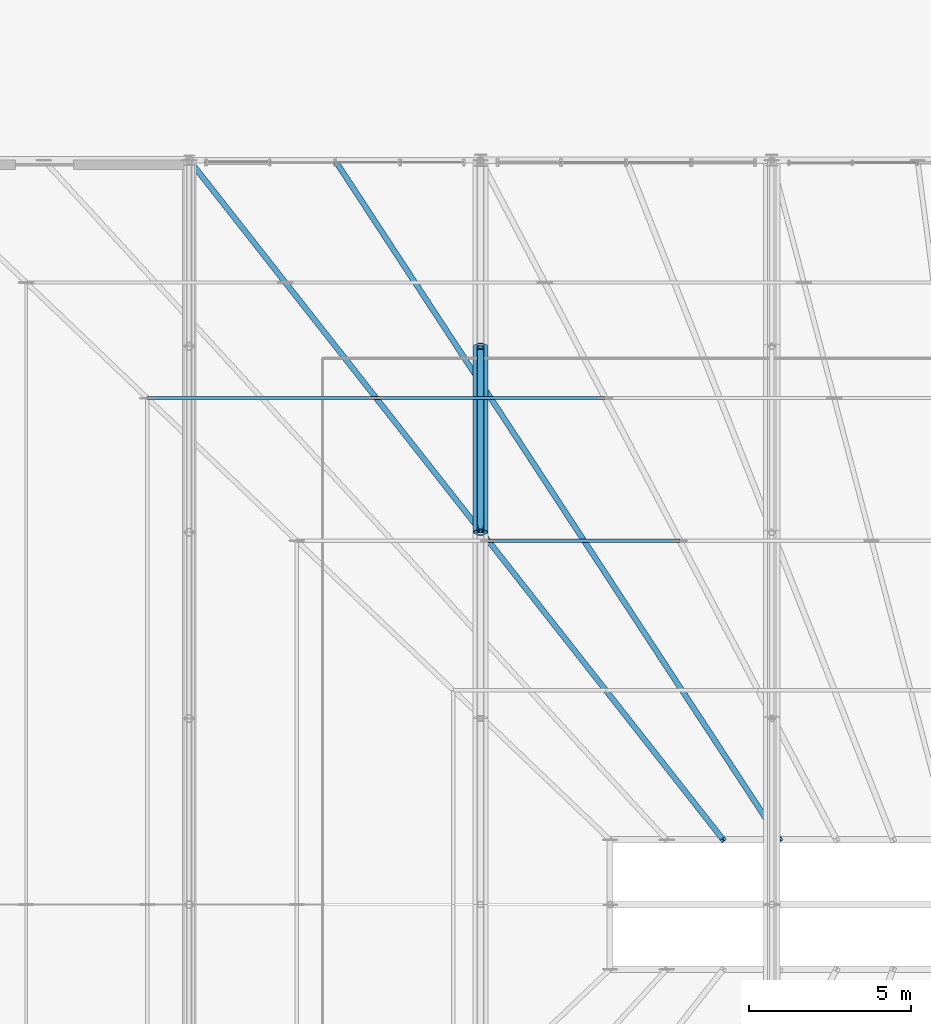
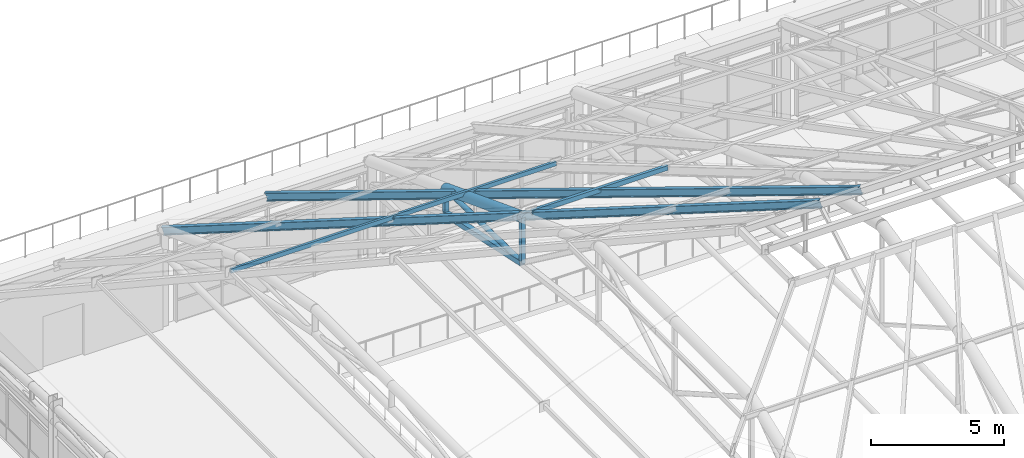
# One storey, part 52 of 168: 9 members, 1 beam.
"""IFC4 building model written with IfcOpenShell, lengths in metres."""

from ifc_helpers import new_model, si_unit, direction, frame, origin, origin_2d, place, context, subcontext, project, spatial, hollow_rectangle, hollow_circle, i_section, extrude, material, material_profile, profile_set, type_object, element, save


model = new_model("IFC4")

# Units and contexts
model_context = context("Model", 3, precision=1e-05, world=origin(), true_north=direction((0.0, 1.0)))
body_context = subcontext(model_context, "Body", "Model", "MODEL_VIEW")
ifc_project = project(units=[si_unit("LENGTHUNIT", "METRE"), si_unit("AREAUNIT", "SQUARE_METRE"), si_unit("VOLUMEUNIT", "CUBIC_METRE"), si_unit("PLANEANGLEUNIT", "RADIAN"), si_unit("MASSUNIT", "GRAM", prefix="KILO"), si_unit("THERMODYNAMICTEMPERATUREUNIT", "KELVIN"), si_unit("POWERUNIT", "WATT")], contexts=[model_context])

# Site, building, storey
site_placement = place(None, origin())
site = spatial("IfcSite", under=ifc_project, at=site_placement, CompositionType="ELEMENT")
building_placement = place(site_placement, origin())
building = spatial("IfcBuilding", under=site, at=building_placement, Name="Tepalcoro Natatorium and Aquatics Centre", CompositionType="ELEMENT")
storey_placement = place(building_placement, frame((0.0, 0.0, 10.199951171875)))
storey = spatial("IfcBuildingStorey", under=building, at=storey_placement, Name="L02", CompositionType="ELEMENT", Elevation=10.199951171875)

# Beam
ifc_material_1 = material(Name="Terracotta Painted Hollow Steel ASTM A500 Grade C (Fy 345 MPa)", Category="masonry")
ifc_material_profile_1 = material_profile(ifc_material_1, hollow_circle(Radius=0.228515625, WallThickness=0.02001953125, at=origin_2d()), Name="CHS457X20")
ifc_profile_set_1 = profile_set([ifc_material_profile_1], Name="Terracotta Painted Hollow Steel ASTM A500 Grade C (Fy 345 MPa)")
beam_type = type_object("IfcBeamType", Name="AC_CHS457x20", PredefinedType="USERDEFINED", material=ifc_profile_set_1)
beam_placement = place(storey_placement, frame((71.0, 47.5, 8.763427734375), z_axis=(0.0, 0.93419963938, -0.356750660521), x_axis=(-1.0, 0.0, 0.0)))
element("IfcBeam", 1, at=beam_placement, inside=storey, type_object=beam_type, Name="V1 Arched Truss Top Chord 3", ObjectType="ARCH CHORD", PredefinedType="USERDEFINED", context=body_context, shape_type="SweptSolid", body=[
    extrude(hollow_circle(Radius=0.228515625, WallThickness=0.02001953125, at=origin_2d()), origin(), (0.0, 0.0, 1.0), 6.155029296875),
])

# Members
ifc_material_profile_2 = material_profile(ifc_material_1, hollow_rectangle(XDim=0.219970703125, YDim=0.219970703125, WallThickness=0.011962890625, at=origin_2d()), Name="HSS220X220X12")
ifc_profile_set_2 = profile_set([ifc_material_profile_2], Name="Terracotta Painted Hollow Steel ASTM A500 Grade C (Fy 345 MPa)")
member_type_1 = type_object("IfcMemberType", Name="MB_CH_HSS220x220x12", PredefinedType="CHORD", material=ifc_profile_set_2)
member_1_placement = place(storey_placement, frame((71.0, 47.5, 6.66259765625), z_axis=(0.0, 0.977724584974, -0.209891962535), x_axis=(-1.0, 0.0, 0.0)))
element("IfcMember", 2, at=member_1_placement, inside=storey, type_object=member_type_1, Name="V1 Arched Truss Bottom Chord 3", PredefinedType="CHORD", context=body_context, shape_type="SweptSolid", body=[
    extrude(hollow_rectangle(XDim=0.219970703125, YDim=0.219970703125, WallThickness=0.011962890625, at=origin_2d()), origin(), (0.0, 0.0, 1.0), 5.881103515625),
])
ifc_material_2 = material(Name="Hollow Steel ASTM A500 Grade C (Fy 345 MPa)", Category="steel")
ifc_material_profile_3 = material_profile(ifc_material_2, hollow_rectangle(XDim=0.10009765625, YDim=0.199951171875, WallThickness=0.008056640625, at=origin_2d()), Name="HSS200X100X8")
ifc_profile_set_3 = profile_set([ifc_material_profile_3], Name="Hollow Steel ASTM A500 Grade C (Fy 345 MPa)")
member_type_2 = type_object("IfcMemberType", Name="MB_PR_HSS200x100x8", PredefinedType="PURLIN", material=ifc_profile_set_3)
member_2_placement = place(storey_placement, frame((60.699951171875, 51.64990234375, 7.380126953125), z_axis=(1.0, 0.0, 0.0), x_axis=(0.0, 1.0, 0.0)))
element("IfcMember", 3, at=member_2_placement, inside=storey, type_object=member_type_2, Name="Pyramid Horizontal Purlin North", PredefinedType="PURLIN", context=body_context, shape_type="SweptSolid", body=[
    extrude(hollow_rectangle(XDim=0.10009765625, YDim=0.199951171875, WallThickness=0.008056640625, at=origin_2d()), origin(), (0.0, 0.0, 1.0), 7.074951171875),
])
member_3_placement = place(storey_placement, frame((67.77490234375, 51.64990234375, 7.380126953125), z_axis=(1.0, 0.0, 0.0), x_axis=(0.0, 1.0, 0.0)))
element("IfcMember", 4, at=member_3_placement, inside=storey, type_object=member_type_2, Name="Pyramid Horizontal Purlin North", PredefinedType="PURLIN", context=body_context, shape_type="SweptSolid", body=[
    extrude(hollow_rectangle(XDim=0.10009765625, YDim=0.199951171875, WallThickness=0.008056640625, at=origin_2d()), origin(), (0.0, 0.0, 1.0), 7.0751953125),
])
ifc_material_profile_4 = material_profile(ifc_material_2, hollow_rectangle(XDim=0.1201171875, YDim=0.219970703125, WallThickness=0.010009765625, at=origin_2d()), Name="HSS220X120X10")
ifc_profile_set_4 = profile_set([ifc_material_profile_4], Name="Hollow Steel ASTM A500 Grade C (Fy 345 MPa)")
member_type_3 = type_object("IfcMemberType", Name="MB_PR_HSS220x120x10", PredefinedType="PURLIN", material=ifc_profile_set_4)
member_4_placement = place(storey_placement, frame((71.239990234375, 47.239990234375, 9.05419921875), z_axis=(1.0, 0.0, 0.0), x_axis=(0.0, 1.0, 0.0)))
element("IfcMember", 5, at=member_4_placement, inside=storey, type_object=member_type_3, Name="Pyramid Horizontal Purlin North", PredefinedType="PURLIN", context=body_context, shape_type="SweptSolid", body=[
    extrude(hollow_rectangle(XDim=0.1201171875, YDim=0.219970703125, WallThickness=0.010009765625, at=origin_2d()), origin(), (0.0, 0.0, 1.0), 5.919921875),
])
ifc_material_profile_5 = material_profile(ifc_material_1, hollow_rectangle(XDim=0.179931640625, YDim=0.179931640625, WallThickness=0.010009765625, at=origin_2d()), Name="HSS180X180X10")
ifc_profile_set_5 = profile_set([ifc_material_profile_5], Name="Terracotta Painted Hollow Steel ASTM A500 Grade C (Fy 345 MPa)")
member_type_4 = type_object("IfcMemberType", Name="MB_PS_HSS180x180x10", PredefinedType="POST", material=ifc_profile_set_5)
member_5_placement = place(storey_placement, frame((71.0, 47.5, 6.66259765625), z_axis=(0.0, 0.0, 1.0), x_axis=(1.0, 0.0, 0.0)))
element("IfcMember", 6, at=member_5_placement, inside=storey, type_object=member_type_4, Name="V1 Arched Truss Vertical Post 3", PredefinedType="POST", context=body_context, shape_type="SweptSolid", body=[
    extrude(hollow_rectangle(XDim=0.179931640625, YDim=0.179931640625, WallThickness=0.010009765625, at=origin_2d()), origin(), (0.0, 0.0, 1.0), 2.100830078125),
])
member_6_placement = place(storey_placement, frame((71.0, 53.25, 5.42822265625), z_axis=(0.0, 0.0, 1.0), x_axis=(1.0, 0.0, 0.0)))
element("IfcMember", 7, at=member_6_placement, inside=storey, type_object=member_type_4, Name="V1 Arched Truss Vertical Post 3", PredefinedType="POST", context=body_context, shape_type="SweptSolid", body=[
    extrude(hollow_rectangle(XDim=0.179931640625, YDim=0.179931640625, WallThickness=0.010009765625, at=origin_2d()), origin(), (0.0, 0.0, 1.0), 1.139404296875),
])
ifc_material_3 = material(Name="Steel ASTM A992 Grade 50 (Fy 345 MPa)", Category="steel")
ifc_material_profile_6 = material_profile(ifc_material_3, i_section(OverallWidth=0.1708984375, OverallDepth=0.35595703125, WebThickness=0.007080078125, FlangeThickness=0.011962890625, FilletRadius=0.013916015625, at=origin_2d()), Name="W14X34")
ifc_profile_set_6 = profile_set([ifc_material_profile_6], Name="Steel ASTM A992 Grade 50 (Fy 345 MPa)")
member_type_5 = type_object("IfcMemberType", Name="MB_RF_W14x34", PredefinedType="RAFTER", material=ifc_profile_set_6)
member_7_placement = place(storey_placement, frame((62.0, 59.0, 4.320068359375), z_axis=(0.590577770954, -0.75164443576, 0.293681015125), x_axis=(0.786318338822, 0.617821551932, 0.0)))
element("IfcMember", 8, at=member_7_placement, inside=storey, type_object=member_type_5, Name="Pyramid Skylight Rafter North", PredefinedType="RAFTER", context=body_context, shape_type="SweptSolid", body=[
    extrude(i_section(OverallWidth=0.1708984375, OverallDepth=0.35595703125, WebThickness=0.007080078125, FlangeThickness=0.011962890625, FilletRadius=0.013916015625, at=origin_2d()), origin(), (0.0, 0.0, 1.0), 27.938720703125),
])
member_8_placement = place(storey_placement, frame((66.5, 59.0, 4.320068359375), z_axis=(0.520674304888, -0.795211665647, 0.310703516312), x_axis=(0.836618528628, 0.547785941364, 0.0)))
element("IfcMember", 9, at=member_8_placement, inside=storey, type_object=member_type_5, Name="Pyramid Skylight Rafter North", PredefinedType="RAFTER", context=body_context, shape_type="SweptSolid", body=[
    extrude(i_section(OverallWidth=0.1708984375, OverallDepth=0.35595703125, WebThickness=0.007080078125, FlangeThickness=0.011962890625, FilletRadius=0.013916015625, at=origin_2d()), origin(), (0.0, 0.0, 1.0), 26.407958984375),
])
ifc_material_profile_7 = material_profile(ifc_material_1, hollow_circle(Radius=0.109619140625, WallThickness=0.013916015625, at=origin_2d()), Name="CHS219X14")
ifc_profile_set_7 = profile_set([ifc_material_profile_7], Name="Terracotta Painted Hollow Steel ASTM A500 Grade C (Fy 345 MPa)")
member_type_6 = type_object("IfcMemberType", Name="MB_ST_CHS219x14", PredefinedType="STRUT", material=ifc_profile_set_7)
member_9_placement = place(storey_placement, frame((71.0, 47.5, 6.66259765625), z_axis=(0.0, 0.999863628136, -0.016514391616), x_axis=(-1.0, 0.0, 0.0)))
element("IfcMember", 10, at=member_9_placement, inside=storey, type_object=member_type_6, Name="V1 Arched Truss Web Diagonal 3", PredefinedType="STRUT", context=body_context, shape_type="SweptSolid", body=[
    extrude(hollow_circle(Radius=0.109619140625, WallThickness=0.013916015625, at=origin_2d()), origin(), (0.0, 0.0, 1.0), 5.750732421875),
])

save(model, "model.ifc")
